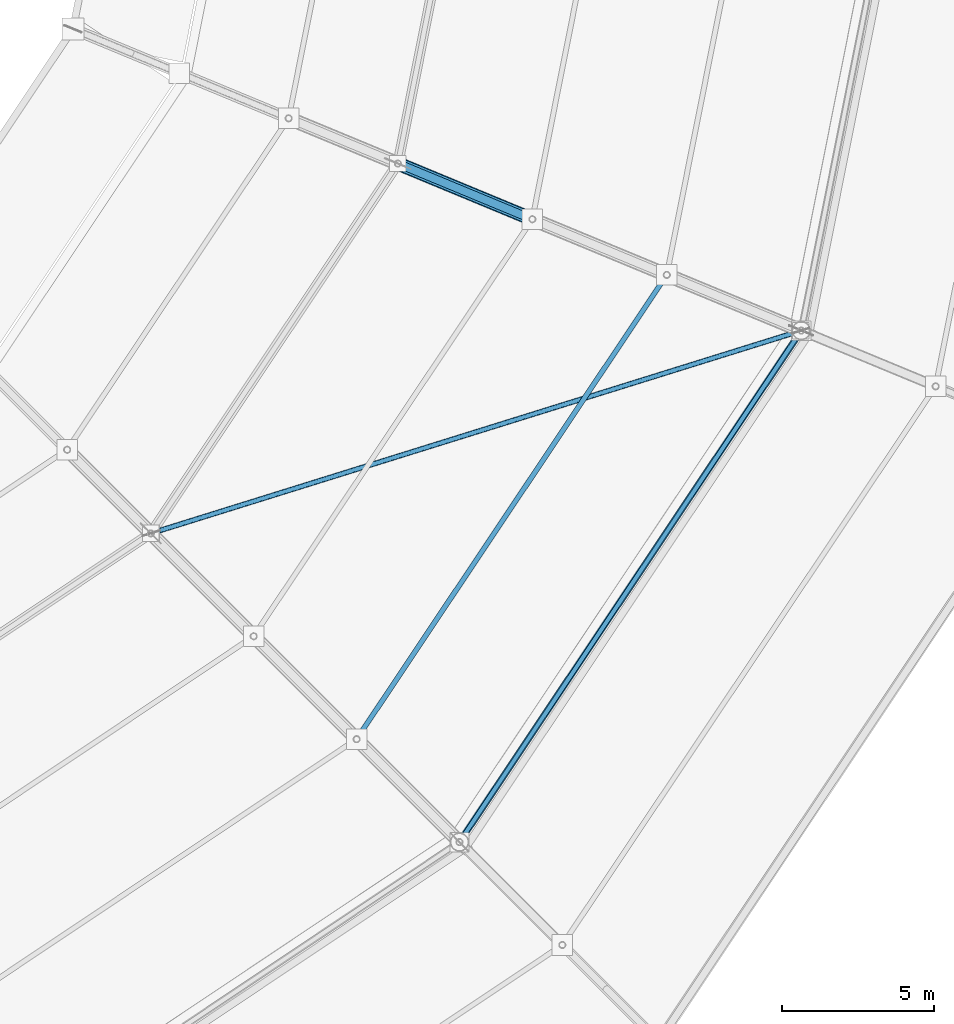
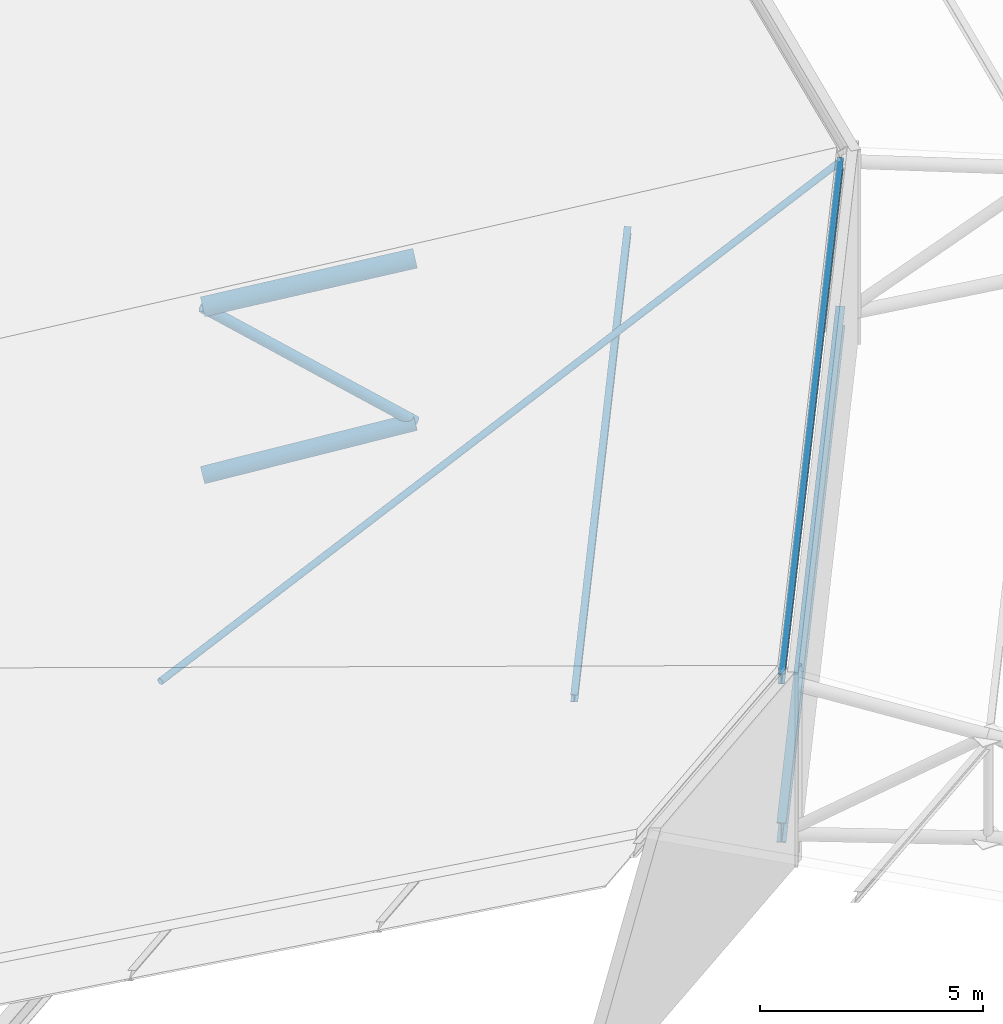
# One storey, part 68 of 146: 5 members, 2 beams.
"""IFC4 building model written with IfcOpenShell, lengths in metres."""

from ifc_helpers import new_model, si_unit, direction, frame, origin, origin_2d, place, context, subcontext, project, spatial, hollow_circle, i_section, extrude, material, material_profile, profile_set, type_object, element, save


model = new_model("IFC4")

# Units and contexts
model_context = context("Model", 3, precision=1e-05, world=origin(), true_north=direction((0.0, 1.0)))
body_context = subcontext(model_context, "Body", "Model", "MODEL_VIEW")
ifc_project = project(units=[si_unit("LENGTHUNIT", "METRE"), si_unit("AREAUNIT", "SQUARE_METRE"), si_unit("VOLUMEUNIT", "CUBIC_METRE"), si_unit("PLANEANGLEUNIT", "RADIAN"), si_unit("MASSUNIT", "GRAM", prefix="KILO")], contexts=[model_context])

# Site, building, storey
site_placement = place(None, origin())
site = spatial("IfcSite", under=ifc_project, at=site_placement, CompositionType="ELEMENT")
building_placement = place(site_placement, origin())
building = spatial("IfcBuilding", under=site, at=building_placement, Name="Candeia Ridge Stadium", CompositionType="ELEMENT")
storey_placement = place(building_placement, frame((0.0, 0.0, 31.800048828125)))
storey = spatial("IfcBuildingStorey", under=building, at=storey_placement, Name="RF", CompositionType="ELEMENT", Elevation=31.800048828125)

# Beams
ifc_material = material(Name="Steel ASTM A572 Grade 50", Category="steel")
ifc_material_profile_1 = material_profile(ifc_material, i_section(OverallWidth=0.14794921875, OverallDepth=0.26611328125, WebThickness=0.007568359375, FlangeThickness=0.012939453125, FilletRadius=0.010986328125, at=origin_2d()), Name="W250x44.8", Category="steel")
ifc_profile_set_1 = profile_set([ifc_material_profile_1], Name="Steel ASTM A572 Grade 50")
beam_type_1 = type_object("IfcBeamType", Name="Canopy Edge Spandrel W250x44.8", PredefinedType="SPANDREL", material=ifc_profile_set_1)
beam_1_placement = place(storey_placement, frame((177.791748046875, 34.263671875, 4.599853515625), z_axis=(0.555572478713, 0.831468111774, 0.0), x_axis=(-0.831468111774, 0.555572478713, 0.0)))
element("IfcBeam", 1, at=beam_1_placement, inside=storey, type_object=beam_type_1, Name="Roof crown cap ring beam bay 28", PredefinedType="SPANDREL", context=body_context, shape_type="SweptSolid", body=[
    extrude(i_section(OverallWidth=0.14794921875, OverallDepth=0.26611328125, WebThickness=0.007568359375, FlangeThickness=0.012939453125, FilletRadius=0.010986328125, at=origin_2d()), origin(), (0.0, 0.0, 1.0), 20.20947265625),
])
ifc_material_profile_2 = material_profile(ifc_material, i_section(OverallWidth=0.2119140625, OverallDepth=0.5439453125, WebThickness=0.01318359375, FlangeThickness=0.021240234375, FilletRadius=0.013916015625, at=origin_2d()), Name="W530x123", Category="steel")
ifc_profile_set_2 = profile_set([ifc_material_profile_2], Name="Steel ASTM A572 Grade 50")
beam_type_2 = type_object("IfcBeamType", Name="Roof Perimeter Ring Beam W530x123", PredefinedType="BEAM", material=ifc_profile_set_2)
beam_2_placement = place(storey_placement, frame((177.791748046875, 34.263671875, 0.39990234375), z_axis=(0.555572478713, 0.831468111774, 0.0), x_axis=(-0.831468111774, 0.555572478713, 0.0)))
element("IfcBeam", 2, at=beam_2_placement, inside=storey, type_object=beam_type_2, Name="Roof perimeter ring beam bay 28", PredefinedType="BEAM", context=body_context, shape_type="SweptSolid", body=[
    extrude(i_section(OverallWidth=0.2119140625, OverallDepth=0.5439453125, WebThickness=0.01318359375, FlangeThickness=0.021240234375, FilletRadius=0.013916015625, at=origin_2d()), origin(), (0.0, 0.0, 1.0), 20.20947265625),
])

# Members
ifc_material_profile_3 = material_profile(ifc_material, hollow_circle(Radius=0.084228515625, WallThickness=0.008056640625, at=origin_2d()), Name="CHS168x8", Category="steel")
ifc_profile_set_3 = profile_set([ifc_material_profile_3], Name="Steel ASTM A572 Grade 50")
member_type_1 = type_object("IfcMemberType", Name="Roof Plan Wind Brace CHS168x8", PredefinedType="BRACE", material=ifc_profile_set_3)
member_1_placement = place(storey_placement, frame((167.606201171875, 44.418701171875, 1.938232421875), z_axis=(0.948055074417, 0.295520142665, 0.11772604279), x_axis=(-0.297589547303, 0.954693909762, 0.0)))
element("IfcMember", 3, at=member_1_placement, inside=storey, type_object=member_type_1, Name="Roof plane wind brace bay 28", PredefinedType="BRACE", context=body_context, shape_type="SweptSolid", body=[
    extrude(hollow_circle(Radius=0.084228515625, WallThickness=0.008056640625, at=origin_2d()), origin(), (0.0, 0.0, 1.0), 22.58984375),
])
ifc_material_profile_4 = material_profile(ifc_material, i_section(OverallWidth=0.1650390625, OverallDepth=0.200927734375, WebThickness=0.006103515625, FlangeThickness=0.01025390625, FilletRadius=0.010009765625, at=origin_2d()), Name="W200x35.9", Category="steel")
ifc_profile_set_4 = profile_set([ifc_material_profile_4], Name="Steel ASTM A572 Grade 50")
member_type_2 = type_object("IfcMemberType", Name="Roof Purlin W200x35.9", PredefinedType="PURLIN", material=ifc_profile_set_4)
member_2_placement = place(storey_placement, frame((174.4033203125, 37.666015625, 3.19189453125), z_axis=(0.555564228489, 0.83147362437, 0.0), x_axis=(-0.83147362437, 0.555564228489, 0.0)))
element("IfcMember", 4, at=member_2_placement, inside=storey, type_object=member_type_2, Name="Saddle roof steel purlin bay 28-4", PredefinedType="PURLIN", context=body_context, shape_type="SweptSolid", body=[
    extrude(i_section(OverallWidth=0.1650390625, OverallDepth=0.200927734375, WebThickness=0.006103515625, FlangeThickness=0.01025390625, FilletRadius=0.010009765625, at=origin_2d()), origin(), (0.0, 0.0, 1.0), 18.316650390625),
])
ifc_material_profile_5 = material_profile(ifc_material, hollow_circle(Radius=0.136474609375, WallThickness=0.010009765625, at=origin_2d()), Name="CHS273x10", Category="steel")
ifc_profile_set_5 = profile_set([ifc_material_profile_5], Name="Steel ASTM A572 Grade 50")
member_type_3 = type_object("IfcMemberType", Name="Roof Truss Heavy Web Brace CHS273x10", PredefinedType="BRACE", material=ifc_profile_set_5)
member_3_placement = place(storey_placement, frame((175.73779296875, 56.611083984375, 1.93603515625), z_axis=(0.740679890153, -0.306791934683, -0.597722351211), x_axis=(0.382675211785, 0.923882937544, 0.0)))
element("IfcMember", 5, at=member_3_placement, inside=storey, type_object=member_type_3, Name="Roof cantilever truss RT-29 diagonal web 4", PredefinedType="BRACE", context=body_context, shape_type="SweptSolid", body=[
    extrude(hollow_circle(Radius=0.136474609375, WallThickness=0.010009765625, at=origin_2d()), origin(), (0.0, 0.0, 1.0), 5.987548828125),
])
ifc_material_profile_6 = material_profile(ifc_material, hollow_circle(Radius=0.228515625, WallThickness=0.02001953125, at=origin_2d()), Name="CHS457x20", Category="steel")
ifc_profile_set_6 = profile_set([ifc_material_profile_6], Name="Steel ASTM A572 Grade 50")
member_type_4 = type_object("IfcMemberType", Name="Roof Truss Main Chord CHS457x20", PredefinedType="CHORD", material=ifc_profile_set_6)
member_4_placement = place(storey_placement, frame((175.73779296875, 56.611083984375, 1.93603515625), z_axis=(0.908470819314, -0.376291464053, 0.181894212488), x_axis=(0.382675211785, 0.923882937544, 0.0)))
element("IfcMember", 6, at=member_4_placement, inside=storey, type_object=member_type_4, Name="Roof cantilever truss RT-29 top chord 4", PredefinedType="CHORD", context=body_context, shape_type="SweptSolid", body=[
    extrude(hollow_circle(Radius=0.228515625, WallThickness=0.02001953125, at=origin_2d()), origin(), (0.0, 0.0, 1.0), 4.881591796875),
])
ifc_material_profile_7 = material_profile(ifc_material, hollow_circle(Radius=0.202880859375, WallThickness=0.01611328125, at=origin_2d()), Name="CHS406x16", Category="steel")
ifc_profile_set_7 = profile_set([ifc_material_profile_7], Name="Steel ASTM A572 Grade 50")
member_type_5 = type_object("IfcMemberType", Name="Roof Truss Outer Chord CHS406x16", PredefinedType="CHORD", material=ifc_profile_set_7)
member_5_placement = place(storey_placement, frame((175.73779296875, 56.611083984375, -2.6640625), z_axis=(0.903658328422, -0.374298115224, 0.208092639019), x_axis=(0.382675211785, 0.923882937544, 0.0)))
element("IfcMember", 7, at=member_5_placement, inside=storey, type_object=member_type_5, Name="Roof cantilever truss RT-29 bottom chord 4", PredefinedType="CHORD", context=body_context, shape_type="SweptSolid", body=[
    extrude(hollow_circle(Radius=0.202880859375, WallThickness=0.01611328125, at=origin_2d()), origin(), (0.0, 0.0, 1.0), 4.90771484375),
])

save(model, "model.ifc")
